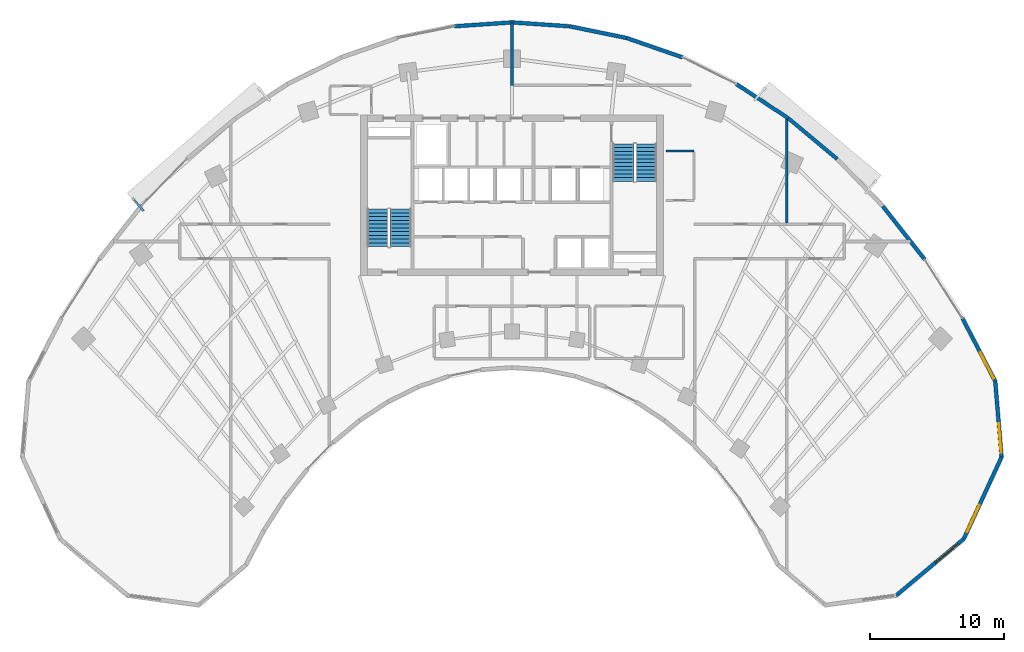
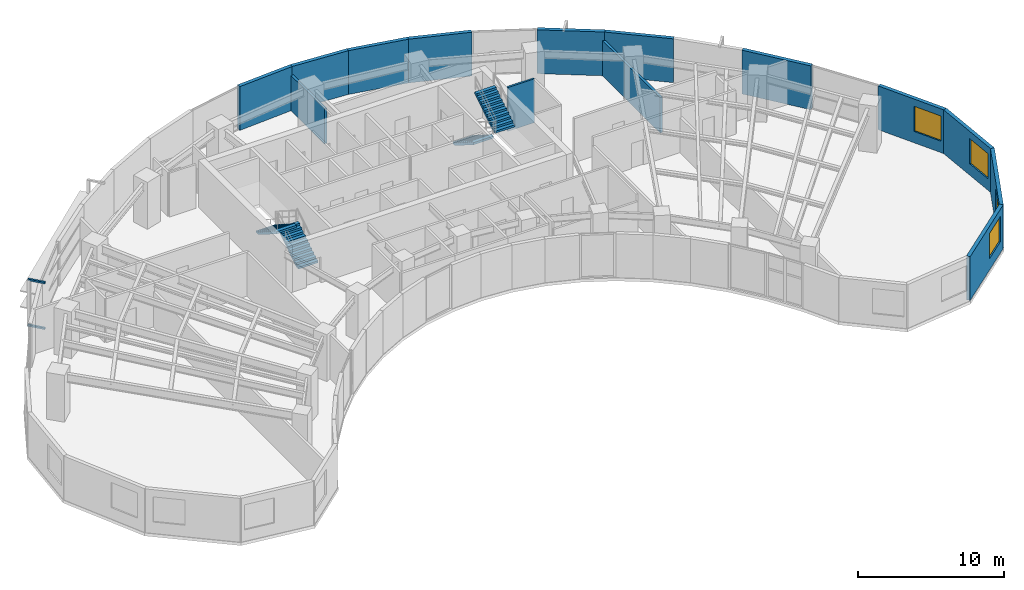
# One storey, part 11 of 14: 14 walls, 4 stair flights, 4 windows, 2 discrete accessories, 4 openings, 2 elements without a shape of their own.
"""IFC4 building model written with IfcOpenShell, lengths in metres."""

import ifcopenshell
import ifcopenshell.guid

model = None  # the IFC model being written
_history = None  # IfcOwnerHistory: only IFC2X3 demands one
_inside = {}  # id of a spatial element -> (the spatial element, [elements in it])
_under = {}  # id of a project, library or spatial element -> (it, [spatial elements below it])
_declared = {}  # id of a project -> (the project, [libraries it declares])
_typed = {}  # id of a type object -> (the type object, [elements of that type])
_made_of = {}  # id of a material, layer set ... -> (it, [elements and type objects made of it])


def new_model(schema):
    """Start an empty IFC model of exactly this schema.

    Asked for "IFC4X3", IfcOpenShell would pick the latest addendum, in which some entities
    have other attributes; the version numbers below select the first issue.
    IFC2X3 requires an IfcOwnerHistory on every rooted entity: one is made here for all.
    """
    global model, _history
    if schema == "IFC4X3":
        model = ifcopenshell.file(schema_version=(4, 3, 0, 0))
    else:
        model = ifcopenshell.file(schema=schema)
    _inside.clear()
    _under.clear()
    _declared.clear()
    _typed.clear()
    _made_of.clear()
    _history = None
    if model.schema == "IFC2X3":
        org = make("IfcOrganization", Name="unknown")
        user = make(
            "IfcPersonAndOrganization",
            ThePerson=make("IfcPerson", FamilyName="unknown"),
            TheOrganization=org,
        )
        app = make(
            "IfcApplication",
            ApplicationDeveloper=org,
            Version="unknown",
            ApplicationFullName="unknown",
            ApplicationIdentifier="unknown",
        )
        _history = make(
            "IfcOwnerHistory",
            OwningUser=user,
            OwningApplication=app,
            ChangeAction="ADDED",
            CreationDate=0,
        )
    return model


def make(cls, **values):
    """One entity of the class cls with the attributes given. An attribute that is None is left unset."""
    return model.create_entity(
        cls, **{name: value for name, value in values.items() if value is not None}
    )


def rooted(cls, **values):
    """An entity with a GlobalId (a new one), such as an element, a storey or a relation."""
    return make(cls, GlobalId=ifcopenshell.guid.new(), OwnerHistory=_history, **values)


def si_unit(unit_type, name, prefix=None):
    """IfcSIUnit, for example si_unit("LENGTHUNIT", "METRE", prefix="MILLI")."""
    return make("IfcSIUnit", UnitType=unit_type, Prefix=prefix, Name=name)


def assignment(units):
    """IfcUnitAssignment: the units of a project."""
    return None if units is None else make("IfcUnitAssignment", Units=units)


def point(xyz):
    """IfcCartesianPoint."""
    return None if xyz is None else make("IfcCartesianPoint", Coordinates=xyz)


def direction(xyz):
    """IfcDirection."""
    return None if xyz is None else make("IfcDirection", DirectionRatios=xyz)


def frame(location, z_axis=None, x_axis=None):
    """IfcAxis2Placement3D, a coordinate frame: its origin and axes. An axis left out is left unset."""
    return make(
        "IfcAxis2Placement3D",
        Location=point(location),
        Axis=direction(z_axis),
        RefDirection=direction(x_axis),
    )


def frame_2d(location, x_axis=None):
    """IfcAxis2Placement2D, a coordinate frame in the plane: its origin and x axis."""
    return make(
        "IfcAxis2Placement2D", Location=point(location), RefDirection=direction(x_axis)
    )


def origin():
    """The frame at (0, 0, 0) with its axes left unset."""
    return frame((0.0, 0.0, 0.0))


def origin_2d():
    """The frame at (0, 0) in the plane with its x axis left unset."""
    return frame_2d((0.0, 0.0))


def place(relative_to, where):
    """IfcLocalPlacement: puts the frame where relative to a parent placement (None: the world)."""
    return make(
        "IfcLocalPlacement", PlacementRelTo=relative_to, RelativePlacement=where
    )


def context(
    kind, dimensions, precision=None, world=None, true_north=None, identifier=None
):
    """IfcGeometricRepresentationContext, for example the 3D "Model" context."""
    return make(
        "IfcGeometricRepresentationContext",
        ContextIdentifier=identifier,
        ContextType=kind,
        CoordinateSpaceDimension=dimensions,
        Precision=precision,
        WorldCoordinateSystem=world,
        TrueNorth=true_north,
    )


def subcontext(parent, identifier, kind, view, scale=None):
    """IfcGeometricRepresentationSubContext, for example "Body" below "Model"."""
    return make(
        "IfcGeometricRepresentationSubContext",
        ContextIdentifier=identifier,
        ContextType=kind,
        ParentContext=parent,
        TargetScale=scale,
        TargetView=view,
    )


def project(units=None, contexts=None):
    """IfcProject with its units and contexts."""
    return rooted(
        "IfcProject",
        Name="project",
        RepresentationContexts=contexts,
        UnitsInContext=assignment(units),
    )


def spatial(cls, under=None, at=None, **own):
    """A site, building, storey or space (cls), placed at a placement, below another one or the project."""
    s = rooted(cls, ObjectPlacement=at, **own)
    if under is not None:
        _under.setdefault(under.id(), (under, []))[1].append(s)
    return s


def polyline(points):
    """IfcPolyline through the points."""
    return make("IfcPolyline", Points=[point(p) for p in points])


def profile(cls, at=None, kind="AREA", **sizes):
    """A parametric profile (cls). Its sizes go by their IFC names, for example OverallWidth=200.0."""
    return make(cls, ProfileType=kind, Position=at, **sizes)


def rectangle(**sizes):
    """IfcRectangleProfileDef."""
    return profile("IfcRectangleProfileDef", **sizes)


def outline(outer, holes=None, kind="AREA"):
    """IfcArbitraryClosedProfileDef: a profile drawn as a closed curve; with holes, ...WithVoids."""
    if holes is None:
        return make("IfcArbitraryClosedProfileDef", ProfileType=kind, OuterCurve=outer)
    return make(
        "IfcArbitraryProfileDefWithVoids",
        ProfileType=kind,
        OuterCurve=outer,
        InnerCurves=holes,
    )


def extrude(swept, where, along, depth):
    """IfcExtrudedAreaSolid: the profile swept, set in the frame where, extruded along a direction by depth."""
    return make(
        "IfcExtrudedAreaSolid",
        SweptArea=swept,
        Position=where,
        ExtrudedDirection=direction(along),
        Depth=depth,
    )


def shape(context_of_items, identifier, shape_type, items):
    """IfcShapeRepresentation: the items that make up one representation, for example the "Body"."""
    return make(
        "IfcShapeRepresentation",
        ContextOfItems=context_of_items,
        RepresentationIdentifier=identifier,
        RepresentationType=shape_type,
        Items=items,
    )


def source(mapping_origin, context_of_items, identifier, shape_type, items):
    """IfcRepresentationMap: a shape defined once, which mapped items show again and again."""
    return make(
        "IfcRepresentationMap",
        MappingOrigin=mapping_origin,
        MappedRepresentation=shape(context_of_items, identifier, shape_type, items),
    )


def transform(
    local_origin,
    x_axis=None,
    y_axis=None,
    z_axis=None,
    scale=None,
    scale2=None,
    scale3=None,
    uniform=True,
):
    """IfcCartesianTransformationOperator3D, or its non-uniform kind. x_axis, y_axis, z_axis: its Axis1, 2, 3."""
    if uniform:
        return make(
            "IfcCartesianTransformationOperator3D",
            Axis1=direction(x_axis),
            Axis2=direction(y_axis),
            LocalOrigin=point(local_origin),
            Scale=scale,
            Axis3=direction(z_axis),
        )
    return make(
        "IfcCartesianTransformationOperator3DnonUniform",
        Axis1=direction(x_axis),
        Axis2=direction(y_axis),
        LocalOrigin=point(local_origin),
        Scale=scale,
        Axis3=direction(z_axis),
        Scale2=scale2,
        Scale3=scale3,
    )


def mapped(mapping_source, mapping_target):
    """IfcMappedItem: shows the shape of a source again, moved by a transform."""
    return make(
        "IfcMappedItem", MappingSource=mapping_source, MappingTarget=mapping_target
    )


def material(Name=None, Category=None):
    """IfcMaterial."""
    return make("IfcMaterial", Name=Name, Category=Category)


def layer(
    of_material, thickness, ventilated=None, Name=None, Category=None, Priority=None
):
    """IfcMaterialLayer: one layer of a wall or slab, of a material (None: an air gap)."""
    return make(
        "IfcMaterialLayer",
        Material=of_material,
        LayerThickness=thickness,
        IsVentilated=ventilated,
        Name=Name,
        Category=Category,
        Priority=Priority,
    )


def layer_set(layers, Name=None):
    """IfcMaterialLayerSet."""
    return make("IfcMaterialLayerSet", MaterialLayers=layers, LayerSetName=Name)


def made_of(thing, what):
    """Note that an element or type object is made of a material, layer set ...; save() writes the relation."""
    if what is not None:
        _made_of.setdefault(what.id(), (what, []))[1].append(thing)
    return thing


def type_object(cls, material=None, **own):
    """A type object (cls), such as IfcWallType, which elements share."""
    return made_of(rooted(cls, **own), material)


def type_shapes(of_type, sources):
    """Give a type object the sources (RepresentationMaps) that its elements show as mapped items."""
    of_type.RepresentationMaps = sources


def element(
    cls,
    number,
    at=None,
    inside=None,
    cuts=None,
    type_object=None,
    material=None,
    context=None,
    identifier="Body",
    shape_type=None,
    held_by="IfcProductDefinitionShape",
    body=None,
    shapes=None,
    **own,
):
    """One element of the class cls, such as IfcWall. Its Tag is "e" and its number.

    at: its placement. inside: the storey or other place that contains it. cuts: it is an
    opening in that element (IfcRelVoidsElement). A single representation is given by context,
    identifier, shape_type and body (its items); several are given by shapes. held_by: the class
    of the entity that holds the representations. save() writes the other relations.
    """
    e = rooted(cls, Tag="e%d" % number, ObjectPlacement=at, **own)
    if body is not None:
        shapes = [shape(context, identifier, shape_type, body)]
    if shapes is not None:
        e.Representation = make(held_by, Representations=shapes)
    if inside is not None:
        _inside.setdefault(inside.id(), (inside, []))[1].append(e)
    if cuts is not None:
        rooted(
            "IfcRelVoidsElement", RelatingBuildingElement=cuts, RelatedOpeningElement=e
        )
    if type_object is not None:
        _typed.setdefault(type_object.id(), (type_object, []))[1].append(e)
    return made_of(e, material)


def fill(opening, filler):
    """IfcRelFillsElement: the door or window that sits in an opening."""
    return rooted(
        "IfcRelFillsElement",
        RelatingOpeningElement=opening,
        RelatedBuildingElement=filler,
    )


def aggregate(whole, parts):
    """IfcRelAggregates: a whole, such as a stair, and the parts it consists of."""
    return rooted("IfcRelAggregates", RelatingObject=whole, RelatedObjects=parts)


def save(model, path):
    """Write the relations noted so far, then the file.

    IfcRelAggregates (storeys below a building ...), IfcRelContainedInSpatialStructure (elements
    in a storey), IfcRelDefinesByType, IfcRelAssociatesMaterial and IfcRelDeclares: one each for
    every whole, place, type object, material and project.
    """
    for whole, parts in _under.values():
        aggregate(whole, parts)
    for where, things in _inside.values():
        rooted(
            "IfcRelContainedInSpatialStructure",
            RelatedElements=things,
            RelatingStructure=where,
        )
    for kind, things in _typed.values():
        rooted("IfcRelDefinesByType", RelatedObjects=things, RelatingType=kind)
    for what, things in _made_of.values():
        rooted("IfcRelAssociatesMaterial", RelatedObjects=things, RelatingMaterial=what)
    for by, libraries in _declared.values():
        rooted("IfcRelDeclares", RelatingContext=by, RelatedDefinitions=libraries)
    model.write(path)


model = new_model("IFC4")

# Units and contexts
model_context = context("Model", 3, precision=1e-05, world=origin(), true_north=direction((0.0, 1.0)))
body_context = subcontext(model_context, "Body", "Model", "MODEL_VIEW")
ifc_project = project(units=[si_unit("LENGTHUNIT", "METRE"), si_unit("AREAUNIT", "SQUARE_METRE"), si_unit("VOLUMEUNIT", "CUBIC_METRE"), si_unit("PLANEANGLEUNIT", "RADIAN"), si_unit("MASSUNIT", "GRAM", prefix="KILO")], contexts=[model_context])

# Site, building, storey
site_placement = place(None, origin())
site = spatial("IfcSite", under=ifc_project, at=site_placement, CompositionType="ELEMENT")
building_placement = place(site_placement, origin())
building = spatial("IfcBuilding", under=site, at=building_placement, Name="Breltana Convention Tower", CompositionType="ELEMENT")
storey_placement = place(building_placement, frame((0.0, 0.0, 111.60009765625)))
storey = spatial("IfcBuildingStorey", under=building, at=storey_placement, Name="L26", CompositionType="ELEMENT", Elevation=111.60009765625)

# Wall, opening, window
ifc_material_1 = material(Name="Limestone Buff Insulated Wall", Category="masonry")
ifc_layer_1 = layer(ifc_material_1, 0.280029296875, Name="Limestone Buff Insulated Wall")
ifc_layer_set_1 = layer_set([ifc_layer_1], Name="Limestone Buff Insulated Wall")
wall_type_1 = type_object("IfcWallType", Name="WL-EXT-NOSE-280", PredefinedType="SOLIDWALL", material=ifc_layer_set_1)
shared_shape_1 = source(origin(), body_context, "Body", "SweptSolid", [
    extrude(rectangle(XDim=5.673583984375, YDim=0.280029296875, at=frame_2d((2.8369140625, 0.0))), origin(), (0.0, 0.0, 1.0), 3.64990234375),
])
wall_1_placement = place(storey_placement, frame((84.07763671875, 52.305419921875, 0.0), z_axis=(0.0, 0.0, 1.0), x_axis=(0.083309007867, -0.996523762491, 0.0)))
wall_1 = element("IfcWall", 1, at=wall_1_placement, inside=storey, type_object=wall_type_1, Name="L26 curved limestone nose wall E1", PredefinedType="SOLIDWALL", context=body_context, shape_type="MappedRepresentation", body=[
    mapped(shared_shape_1, transform((0.0, 0.0, 0.0), scale=1.0)),
])
opening_1_placement = place(wall_1_placement, frame((3.155029296875, 0.0, 0.949951171875)))
opening_1 = element("IfcOpeningElement", 2, at=opening_1_placement, cuts=wall_1, Name="Opening W-03", PredefinedType="OPENING", context=body_context, shape_type="SweptSolid", body=[
    extrude(rectangle(XDim=2.199951171875, YDim=2.10009765625, at=frame_2d((1.10009765625, 1.050048828125))), frame((0.0, 0.14990234375, 0.0), z_axis=(0.0, -1.0, 0.0), x_axis=(1.0, 0.0, 0.0)), (0.0, 0.0, 1.0), 0.300048828125),
])
ifc_material_2 = material(Name="Glass Low-E Insulated Window", Category="glass")
window_type = type_object("IfcWindowType", Name="WN-NOSE-2200X2100", PartitioningType="TRIPLE_PANEL_VERTICAL", PredefinedType="WINDOW", material=ifc_material_2)
shared_shape_2 = source(origin(), body_context, "Body", "SweptSolid", [
    extrude(rectangle(XDim=2.199951171875, YDim=2.10009765625, at=frame_2d((1.10009765625, 1.050048828125))), frame((0.0, 0.030029296875, 0.0), z_axis=(0.0, -1.0, 0.0), x_axis=(1.0, 0.0, 0.0)), (0.0, 0.0, 1.0), 0.06005859375),
])
type_shapes(window_type, [shared_shape_2])
window_1_placement = place(opening_1_placement, origin())
window_1 = element("IfcWindow", 3, at=window_1_placement, inside=storey, type_object=window_type, Name="L26 nose window E1", OverallHeight=2.10009765625, OverallWidth=2.199951171875, PartitioningType="TRIPLE_PANEL_VERTICAL", PredefinedType="WINDOW", context=body_context, shape_type="MappedRepresentation", body=[
    mapped(shared_shape_2, transform((0.0, 0.0, 0.0), scale=1.0)),
])
fill(opening_1, window_1)

shared_shape_3 = source(origin(), body_context, "Body", "SweptSolid", [
    extrude(rectangle(XDim=6.731689453125, YDim=0.280029296875, at=frame_2d((3.36572265625, 0.0))), origin(), (0.0, 0.0, 1.0), 3.64990234375),
])
wall_2_placement = place(storey_placement, frame((84.55029296875, 46.651611328125, 0.0), z_axis=(0.0, 0.0, 1.0), x_axis=(-0.419644552709, -0.907688520023, 0.0)))
wall_2 = element("IfcWall", 4, at=wall_2_placement, inside=storey, type_object=wall_type_1, Name="L26 curved limestone nose wall E2", PredefinedType="SOLIDWALL", context=body_context, shape_type="MappedRepresentation", body=[
    mapped(shared_shape_3, transform((0.0, 0.0, 0.0), scale=1.0)),
])
opening_2_placement = place(wall_2_placement, frame((3.948974609375, 0.0, 0.949951171875)))
opening_2 = element("IfcOpeningElement", 5, at=opening_2_placement, cuts=wall_2, Name="Opening W-03", PredefinedType="OPENING", context=body_context, shape_type="SweptSolid", body=[
    extrude(rectangle(XDim=2.199951171875, YDim=2.10009765625, at=frame_2d((1.10009765625, 1.050048828125))), frame((0.0, 0.14990234375, 0.0), z_axis=(0.0, -1.0, 0.0), x_axis=(1.0, 0.0, 0.0)), (0.0, 0.0, 1.0), 0.300048828125),
])
window_2_placement = place(opening_2_placement, origin())
window_2 = element("IfcWindow", 6, at=window_2_placement, inside=storey, type_object=window_type, Name="L26 nose window E2", OverallHeight=2.10009765625, OverallWidth=2.199951171875, PartitioningType="TRIPLE_PANEL_VERTICAL", PredefinedType="WINDOW", context=body_context, shape_type="MappedRepresentation", body=[
    mapped(shared_shape_2, transform((0.0, 0.0, 0.0), scale=1.0)),
])
fill(opening_2, window_2)

shared_shape_4 = source(origin(), body_context, "Body", "SweptSolid", [
    extrude(rectangle(XDim=6.572998046875, YDim=0.280029296875, at=frame_2d((3.28662109375, 0.0))), origin(), (0.0, 0.0, 1.0), 3.64990234375),
])
wall_3_placement = place(storey_placement, frame((81.725341796875, 40.541259765625, 0.0), z_axis=(0.0, 0.0, 1.0), x_axis=(-0.766715154163, -0.641987439423, 0.0)))
wall_3 = element("IfcWall", 7, at=wall_3_placement, inside=storey, type_object=wall_type_1, Name="L26 curved limestone nose wall E3", PredefinedType="SOLIDWALL", context=body_context, shape_type="MappedRepresentation", body=[
    mapped(shared_shape_4, transform((0.0, 0.0, 0.0), scale=1.0)),
])
opening_3_placement = place(wall_3_placement, frame((0.543212890625, 0.0, 0.949951171875)))
opening_3 = element("IfcOpeningElement", 8, at=opening_3_placement, cuts=wall_3, Name="Opening W-03", PredefinedType="OPENING", context=body_context, shape_type="SweptSolid", body=[
    extrude(rectangle(XDim=2.199951171875, YDim=2.10009765625, at=frame_2d((1.10009765625, 1.050048828125))), frame((0.0, 0.14990234375, 0.0), z_axis=(0.0, -1.0, 0.0), x_axis=(1.0, 0.0, 0.0)), (0.0, 0.0, 1.0), 0.300048828125),
])
window_3_placement = place(opening_3_placement, origin())
window_3 = element("IfcWindow", 9, at=window_3_placement, inside=storey, type_object=window_type, Name="L26 nose window E3", OverallHeight=2.10009765625, OverallWidth=2.199951171875, PartitioningType="TRIPLE_PANEL_VERTICAL", PredefinedType="WINDOW", context=body_context, shape_type="MappedRepresentation", body=[
    mapped(shared_shape_2, transform((0.0, 0.0, 0.0), scale=1.0)),
])
fill(opening_3, window_3)

shared_shape_5 = source(origin(), body_context, "Body", "SweptSolid", [
    extrude(rectangle(XDim=5.315185546875, YDim=0.280029296875, at=frame_2d((2.65771484375, 0.0))), origin(), (0.0, 0.0, 1.0), 3.64990234375),
])
wall_4_placement = place(storey_placement, frame((81.623291015625, 57.02001953125, 0.0), z_axis=(0.0, 0.0, 1.0), x_axis=(0.461760527822, -0.887004630735, 0.0)))
wall_4 = element("IfcWall", 10, at=wall_4_placement, inside=storey, type_object=wall_type_1, Name="L26 curved limestone nose wall E33", PredefinedType="SOLIDWALL", context=body_context, shape_type="MappedRepresentation", body=[
    mapped(shared_shape_5, transform((0.0, 0.0, 0.0), scale=1.0)),
])
opening_4_placement = place(wall_4_placement, frame((2.886474609375, 0.0, 0.949951171875)))
opening_4 = element("IfcOpeningElement", 11, at=opening_4_placement, cuts=wall_4, Name="Opening W-03", PredefinedType="OPENING", context=body_context, shape_type="SweptSolid", body=[
    extrude(rectangle(XDim=2.199951171875, YDim=2.10009765625, at=frame_2d((1.10009765625, 1.050048828125))), frame((0.0, 0.14990234375, 0.0), z_axis=(0.0, -1.0, 0.0), x_axis=(1.0, 0.0, 0.0)), (0.0, 0.0, 1.0), 0.300048828125),
])
window_4_placement = place(opening_4_placement, origin())
window_4 = element("IfcWindow", 12, at=window_4_placement, inside=storey, type_object=window_type, Name="L26 nose window E33", OverallHeight=2.10009765625, OverallWidth=2.199951171875, PartitioningType="TRIPLE_PANEL_VERTICAL", PredefinedType="WINDOW", context=body_context, shape_type="MappedRepresentation", body=[
    mapped(shared_shape_2, transform((0.0, 0.0, 0.0), scale=1.0)),
])
fill(opening_4, window_4)

# Walls
shared_shape_6 = source(origin(), body_context, "Body", "SweptSolid", [
    extrude(rectangle(XDim=5.05810546875, YDim=0.280029296875, at=frame_2d((2.529052734375, 0.0))), origin(), (0.0, 0.0, 1.0), 3.64990234375),
])
wall_5_placement = place(storey_placement, frame((75.684814453125, 65.37646484375, 0.0), z_axis=(0.0, 0.0, 1.0), x_axis=(0.618145507434, -0.786063694391, 0.0)))
element("IfcWall", 13, at=wall_5_placement, inside=storey, type_object=wall_type_1, Name="L26 curved limestone nose wall E32", PredefinedType="SOLIDWALL", context=body_context, shape_type="MappedRepresentation", body=[
    mapped(shared_shape_6, transform((0.0, 0.0, 0.0), scale=1.0)),
])
shared_shape_7 = source(origin(), body_context, "Body", "SweptSolid", [
    extrude(rectangle(XDim=4.76220703125, YDim=0.280029296875, at=frame_2d((2.381103515625, 0.0))), origin(), (0.0, 0.0, 1.0), 3.64990234375),
])
wall_6_placement = place(storey_placement, frame((68.6181640625, 71.957763671875, 0.0), z_axis=(0.0, 0.0, 1.0), x_axis=(0.767952279762, -0.640507061638, 0.0)))
element("IfcWall", 14, at=wall_6_placement, inside=storey, type_object=wall_type_1, Name="L26 curved limestone nose wall E30", PredefinedType="SOLIDWALL", context=body_context, shape_type="MappedRepresentation", body=[
    mapped(shared_shape_7, transform((0.0, 0.0, 0.0), scale=1.0)),
])
shared_shape_8 = source(origin(), body_context, "Body", "SweptSolid", [
    extrude(rectangle(XDim=4.625732421875, YDim=0.280029296875, at=frame_2d((2.31298828125, 0.0))), origin(), (0.0, 0.0, 1.0), 3.64990234375),
])
wall_7_placement = place(storey_placement, frame((64.751220703125, 74.496337890625, 0.0), z_axis=(0.0, 0.0, 1.0), x_axis=(0.83595938331, -0.548791316855, 0.0)))
element("IfcWall", 15, at=wall_7_placement, inside=storey, type_object=wall_type_1, Name="L26 curved limestone nose wall E29", PredefinedType="SOLIDWALL", context=body_context, shape_type="MappedRepresentation", body=[
    mapped(shared_shape_8, transform((0.0, 0.0, 0.0), scale=1.0)),
])
shared_shape_9 = source(origin(), body_context, "Body", "SweptSolid", [
    extrude(rectangle(XDim=4.408935546875, YDim=0.280029296875, at=frame_2d((2.20458984375, 0.0))), origin(), (0.0, 0.0, 1.0), 3.64990234375),
])
wall_8_placement = place(storey_placement, frame((56.54833984375, 77.94091796875, 0.0), z_axis=(0.0, 0.0, 1.0), x_axis=(0.944879374121, -0.327418643881, 0.0)))
element("IfcWall", 16, at=wall_8_placement, inside=storey, type_object=wall_type_1, Name="L26 curved limestone nose wall E28", PredefinedType="SOLIDWALL", context=body_context, shape_type="MappedRepresentation", body=[
    mapped(shared_shape_9, transform((0.0, 0.0, 0.0), scale=1.0)),
])
shared_shape_10 = source(origin(), body_context, "Body", "SweptSolid", [
    extrude(rectangle(XDim=4.3408203125, YDim=0.280029296875, at=frame_2d((2.17041015625, 0.0))), origin(), (0.0, 0.0, 1.0), 3.64990234375),
])
wall_9_placement = place(storey_placement, frame((52.2958984375, 78.81298828125, 0.0), z_axis=(0.0, 0.0, 1.0), x_axis=(0.979612918634, -0.20089432457, 0.0)))
element("IfcWall", 17, at=wall_9_placement, inside=storey, type_object=wall_type_1, Name="L26 curved limestone nose wall E27", PredefinedType="SOLIDWALL", context=body_context, shape_type="MappedRepresentation", body=[
    mapped(shared_shape_10, transform((0.0, 0.0, 0.0), scale=1.0)),
])
shared_shape_11 = source(origin(), body_context, "Body", "SweptSolid", [
    extrude(rectangle(XDim=4.3056640625, YDim=0.280029296875, at=frame_2d((2.15283203125, 0.0))), origin(), (0.0, 0.0, 1.0), 3.64990234375),
])
for number, where, z_axis, x_axis, name in (
    (18, (43.7041015625, 78.81298828125, 0.0), (0.0, 0.0, 1.0), (0.997705679258, 0.067700646797, 0.0), "L26 curved limestone nose wall E25"),
    (19, (48.0, 79.1044921875, 0.0), (0.0, 0.0, 1.0), (0.997705679258, -0.067700646797, 0.0), "L26 curved limestone nose wall E26"),
):
    element("IfcWall", number, at=place(storey_placement, frame(where, z_axis=z_axis, x_axis=x_axis)), inside=storey, type_object=wall_type_1, Name=name, PredefinedType="SOLIDWALL", context=body_context, shape_type="MappedRepresentation", body=[
        mapped(shared_shape_11, transform((0.0, 0.0, 0.0), scale=1.0)),
    ])
ifc_material_3 = material(Name="Gypsum Acoustic Drywall Partition")
ifc_layer_2 = layer(ifc_material_3, 0.14990234375, Name="Gypsum Acoustic Drywall Partition")
ifc_layer_set_2 = layer_set([ifc_layer_2], Name="Gypsum Acoustic Drywall Partition")
wall_type_2 = type_object("IfcWallType", Name="WL-PART-150", PredefinedType="PARTITIONING", material=ifc_layer_set_2)
shared_shape_12 = source(origin(), body_context, "Body", "SweptSolid", [
    extrude(rectangle(XDim=2.10009765625, YDim=0.14990234375, at=frame_2d((1.050048828125, 0.0))), origin(), (0.0, 0.0, 1.0), 3.64990234375),
])
wall_10_placement = place(storey_placement, frame((59.5, 69.5, 0.0), z_axis=(0.0, 0.0, 1.0), x_axis=(1.0, 0.0, 0.0)))
element("IfcWall", 20, at=wall_10_placement, inside=storey, type_object=wall_type_2, Name="L26 interior partition W-L26-CRSE-N", PredefinedType="PARTITIONING", context=body_context, shape_type="MappedRepresentation", body=[
    mapped(shared_shape_12, transform((0.0, 0.0, 0.0), scale=1.0)),
])
ifc_material_4 = material(Name="Gypsum Acoustic Hotel Wall")
ifc_layer_3 = layer(ifc_material_4, 0.195068359375, Name="Gypsum Acoustic Hotel Wall")
ifc_layer_set_3 = layer_set([ifc_layer_3], Name="Gypsum Acoustic Hotel Wall")
wall_type_3 = type_object("IfcWallType", Name="WL-HOTEL-200", PredefinedType="PARTITIONING", material=ifc_layer_set_3)
shared_shape_13 = source(origin(), body_context, "Body", "SweptSolid", [
    extrude(rectangle(XDim=4.694580078125, YDim=0.195068359375, at=frame_2d((2.34716796875, 0.0))), origin(), (0.0, 0.0, 1.0), 2.94189453125),
])
wall_11_placement = place(storey_placement, frame((48.0, 74.39990234375, 0.0), z_axis=(0.0, 0.0, 1.0), x_axis=(0.0, 1.0, 0.0)))
element("IfcWall", 21, at=wall_11_placement, inside=storey, type_object=wall_type_3, Name="L26 interior partition W-L26-ZN1-E", PredefinedType="PARTITIONING", context=body_context, shape_type="MappedRepresentation", body=[
    mapped(shared_shape_13, transform((0.0, 0.0, 0.0), scale=1.0)),
])
shared_shape_14 = source(origin(), body_context, "Body", "SweptSolid", [
    extrude(rectangle(XDim=7.96337890625, YDim=0.195068359375, at=frame_2d((3.981689453125, 0.0))), origin(), (0.0, 0.0, 1.0), 2.94189453125),
])
wall_12_placement = place(storey_placement, frame((68.5, 64.06005859375, 0.0), z_axis=(0.0, 0.0, 1.0), x_axis=(0.0, 1.0, 0.0)))
element("IfcWall", 22, at=wall_12_placement, inside=storey, type_object=wall_type_3, Name="L26 interior partition W-L26-ZEN1-E", PredefinedType="PARTITIONING", context=body_context, shape_type="MappedRepresentation", body=[
    mapped(shared_shape_14, transform((0.0, 0.0, 0.0), scale=1.0)),
])

# Stair, stair flights
ifc_material_5 = material(Name="Concrete C40/50", Category="concrete")
stair_type = type_object("IfcStairType", Name="ST-DOG-1560-R177", PredefinedType="HALF_TURN_STAIR", material=ifc_material_5)
stair_1_placement = place(storey_placement, origin())
stair_1 = element("IfcStair", 23, at=stair_1_placement, inside=storey, type_object=stair_type, Name="L26 Protected Core Exit Stair ST-1", PredefinedType="HALF_TURN_STAIR")
stair_flight_type = type_object("IfcStairFlightType", Name="STF-DOG-1560-N11-R177", PredefinedType="STRAIGHT", material=ifc_material_5)
stair_flight_1_placement = place(storey_placement, frame((39.68994140625, 62.360107421875, 0.0), z_axis=(0.0, 0.0, 1.0), x_axis=(0.0, 1.0, 0.0)))
stair_flight_1 = element("IfcStairFlight", 24, at=stair_flight_1_placement, type_object=stair_flight_type, Name="ST-1 flight 1", NumberOfRisers=11, NumberOfTreads=10, PredefinedType="STRAIGHT", RiserHeight=0.177272727, TreadLength=0.28, context=body_context, shape_type="SweptSolid", body=[
    extrude(outline(polyline([(0.0, 0.0), (0.0, 0.17724609375), (0.280029296875, 0.17724609375), (0.280029296875, 0.3544921875), (0.56005859375, 0.3544921875), (0.56005859375, 0.53173828125), (0.840087890625, 0.53173828125), (0.840087890625, 0.708984375), (1.1201171875, 0.708984375), (1.1201171875, 0.886474609375), (1.39990234375, 0.886474609375), (1.39990234375, 1.063720703125), (1.679931640625, 1.063720703125), (1.679931640625, 1.240966796875), (1.9599609375, 1.240966796875), (1.9599609375, 1.418212890625), (2.239990234375, 1.418212890625), (2.239990234375, 1.595458984375), (2.52001953125, 1.595458984375), (2.52001953125, 1.772705078125), (2.800048828125, 1.772705078125), (2.800048828125, 1.949951171875), (2.800048828125, 1.59521484375), (0.2802734375, 0.0), (0.0, 0.0)])), frame((0.0, 0.780029296875, 0.0), z_axis=(0.0, -1.0, 0.0), x_axis=(1.0, 0.0, 0.0)), (0.0, 0.0, 1.0), 1.56005859375),
])
stair_flight_2_placement = place(storey_placement, frame((37.97998046875, 65.159912109375, 1.949951171875), z_axis=(0.0, 0.0, 1.0), x_axis=(0.0, -1.0, 0.0)))
stair_flight_2 = element("IfcStairFlight", 25, at=stair_flight_2_placement, type_object=stair_flight_type, Name="ST-1 flight 2", NumberOfRisers=11, NumberOfTreads=10, PredefinedType="STRAIGHT", RiserHeight=0.177272727, TreadLength=0.28, context=body_context, shape_type="SweptSolid", body=[
    extrude(outline(polyline([(0.0, 0.0), (0.0, 0.17724609375), (0.280029296875, 0.17724609375), (0.280029296875, 0.3544921875), (0.56005859375, 0.3544921875), (0.56005859375, 0.53173828125), (0.840087890625, 0.53173828125), (0.840087890625, 0.708984375), (1.1201171875, 0.708984375), (1.1201171875, 0.886474609375), (1.39990234375, 0.886474609375), (1.39990234375, 1.063720703125), (1.679931640625, 1.063720703125), (1.679931640625, 1.240966796875), (1.9599609375, 1.240966796875), (1.9599609375, 1.418212890625), (2.239990234375, 1.418212890625), (2.239990234375, 1.595458984375), (2.52001953125, 1.595458984375), (2.52001953125, 1.772705078125), (2.800048828125, 1.772705078125), (2.800048828125, 1.949951171875), (2.800048828125, 1.59521484375), (0.2802734375, 0.0), (0.0, 0.0)])), frame((0.0, 0.780029296875, 0.0), z_axis=(0.0, -1.0, 0.0), x_axis=(1.0, 0.0, 0.0)), (0.0, 0.0, 1.0), 1.56005859375),
])
aggregate(stair_1, [stair_flight_1, stair_flight_2])

stair_2_placement = place(storey_placement, origin())
stair_2 = element("IfcStair", 26, at=stair_2_placement, inside=storey, type_object=stair_type, Name="L26 Protected Core Exit Stair ST-2", PredefinedType="HALF_TURN_STAIR")
stair_flight_3_placement = place(storey_placement, frame((56.31005859375, 70.0400390625, 0.0), z_axis=(0.0, 0.0, 1.0), x_axis=(0.0, -1.0, 0.0)))
stair_flight_3 = element("IfcStairFlight", 27, at=stair_flight_3_placement, type_object=stair_flight_type, Name="ST-2 flight 1", NumberOfRisers=11, NumberOfTreads=10, PredefinedType="STRAIGHT", RiserHeight=0.177272727, TreadLength=0.28, context=body_context, shape_type="SweptSolid", body=[
    extrude(outline(polyline([(0.0, 0.0), (0.0, 0.17724609375), (0.280029296875, 0.17724609375), (0.280029296875, 0.3544921875), (0.56005859375, 0.3544921875), (0.56005859375, 0.53173828125), (0.840087890625, 0.53173828125), (0.840087890625, 0.708984375), (1.1201171875, 0.708984375), (1.1201171875, 0.886474609375), (1.39990234375, 0.886474609375), (1.39990234375, 1.063720703125), (1.679931640625, 1.063720703125), (1.679931640625, 1.240966796875), (1.9599609375, 1.240966796875), (1.9599609375, 1.418212890625), (2.239990234375, 1.418212890625), (2.239990234375, 1.595458984375), (2.52001953125, 1.595458984375), (2.52001953125, 1.772705078125), (2.800048828125, 1.772705078125), (2.800048828125, 1.949951171875), (2.800048828125, 1.59521484375), (0.2802734375, 0.0), (0.0, 0.0)])), frame((0.0, 0.780029296875, 0.0), z_axis=(0.0, -1.0, 0.0), x_axis=(1.0, 0.0, 0.0)), (0.0, 0.0, 1.0), 1.56005859375),
])
stair_flight_4_placement = place(storey_placement, frame((58.02001953125, 67.239990234375, 1.949951171875), z_axis=(0.0, 0.0, 1.0), x_axis=(0.0, 1.0, 0.0)))
stair_flight_4 = element("IfcStairFlight", 28, at=stair_flight_4_placement, type_object=stair_flight_type, Name="ST-2 flight 2", NumberOfRisers=11, NumberOfTreads=10, PredefinedType="STRAIGHT", RiserHeight=0.177272727, TreadLength=0.28, context=body_context, shape_type="SweptSolid", body=[
    extrude(outline(polyline([(0.0, 0.0), (0.0, 0.17724609375), (0.280029296875, 0.17724609375), (0.280029296875, 0.3544921875), (0.56005859375, 0.3544921875), (0.56005859375, 0.53173828125), (0.840087890625, 0.53173828125), (0.840087890625, 0.708984375), (1.1201171875, 0.708984375), (1.1201171875, 0.886474609375), (1.39990234375, 0.886474609375), (1.39990234375, 1.063720703125), (1.679931640625, 1.063720703125), (1.679931640625, 1.240966796875), (1.9599609375, 1.240966796875), (1.9599609375, 1.418212890625), (2.239990234375, 1.418212890625), (2.239990234375, 1.595458984375), (2.52001953125, 1.595458984375), (2.52001953125, 1.772705078125), (2.800048828125, 1.772705078125), (2.800048828125, 1.949951171875), (2.800048828125, 1.59521484375), (0.2802734375, 0.0), (0.0, 0.0)])), frame((0.0, 0.780029296875, 0.0), z_axis=(0.0, -1.0, 0.0), x_axis=(1.0, 0.0, 0.0)), (0.0, 0.0, 1.0), 1.56005859375),
])
aggregate(stair_2, [stair_flight_3, stair_flight_4])

# Discrete accessories
ifc_material_6 = material(Name="Steel S355", Category="steel")
discrete_accessory_type = type_object("IfcDiscreteAccessoryType", Name="ACC-DSF-BRACKET-150", PredefinedType="BRACKET", material=ifc_material_6)
shared_shape_15 = source(origin(), body_context, "Body", "SweptSolid", [
    extrude(rectangle(XDim=1.239990234375, YDim=0.14990234375, at=origin_2d()), origin(), (0.0, 0.0, 1.0), 0.139892578125),
])
type_shapes(discrete_accessory_type, [shared_shape_15])
for number, where, z_axis, x_axis, name in (
    (29, (20.080322265625, 65.49853515625, -0.16015625), (0.0, 0.0, 1.0), (-0.656454255701, 0.754365833115, 0.0), "L26 double-skin slab stand-off bracket 1.1B"),
    (30, (20.080322265625, 65.49853515625, 3.64990234375), (0.0, 0.0, 1.0), (-0.656454255701, 0.754365833115, 0.0), "L26 double-skin slab stand-off bracket 1.1T"),
):
    element("IfcDiscreteAccessory", number, at=place(storey_placement, frame(where, z_axis=z_axis, x_axis=x_axis)), inside=storey, type_object=discrete_accessory_type, Name=name, PredefinedType="BRACKET", context=body_context, shape_type="MappedRepresentation", body=[
        mapped(shared_shape_15, transform((0.0, 0.0, 0.0), scale=1.0)),
    ])

save(model, "model.ifc")
